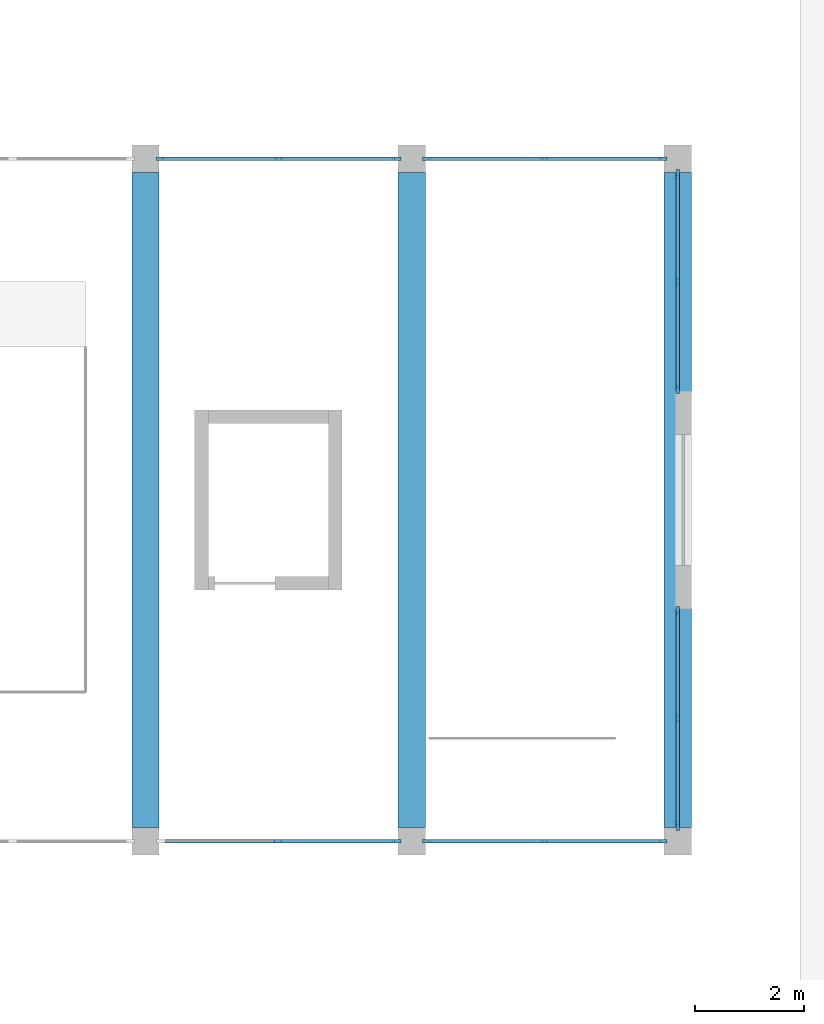
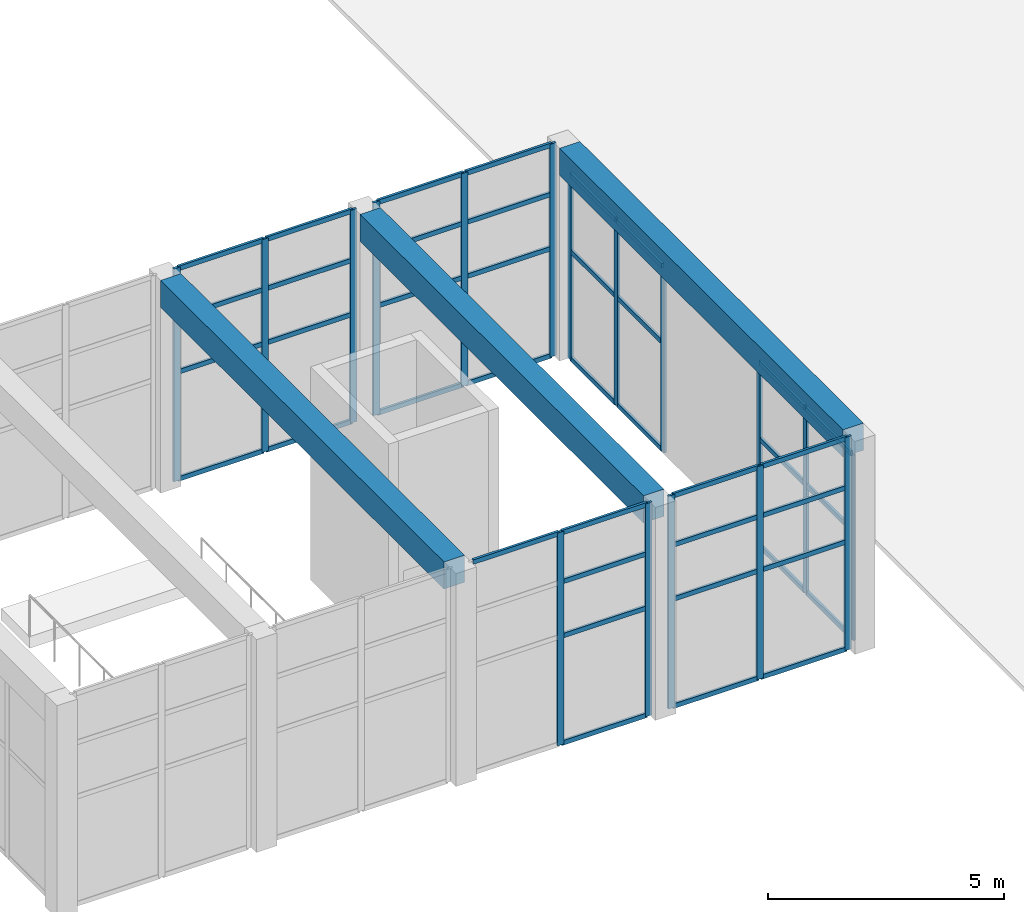
# One storey, part 12 of 175: 58 members, 3 beams, 6 elements without a shape of their own.
"""IFC4 building model written with IfcOpenShell, lengths in metres."""

from ifc_helpers import new_model, si_unit, direction, frame, origin, origin_2d, place, context, subcontext, project, spatial, rectangle, extrude, material, material_profile, profile_set, type_object, element, aggregate, save


model = new_model("IFC4")

# Units and contexts
model_context = context("Model", 3, precision=1e-05, world=origin(), true_north=direction((0.0, 1.0)))
body_context = subcontext(model_context, "Body", "Model", "MODEL_VIEW")
ifc_project = project(units=[si_unit("LENGTHUNIT", "METRE"), si_unit("AREAUNIT", "SQUARE_METRE"), si_unit("VOLUMEUNIT", "CUBIC_METRE"), si_unit("PLANEANGLEUNIT", "RADIAN"), si_unit("MASSUNIT", "GRAM", prefix="KILO")], contexts=[model_context])

# Site, building, storey
site_placement = place(None, origin())
site = spatial("IfcSite", under=ifc_project, at=site_placement, CompositionType="ELEMENT")
building_placement = place(site_placement, origin())
building = spatial("IfcBuilding", under=site, at=building_placement, Name="Ogive Plaza Stadium", CompositionType="ELEMENT")
storey_placement = place(building_placement, origin())
storey = spatial("IfcBuildingStorey", under=building, at=storey_placement, Name="L00", CompositionType="ELEMENT", Elevation=0.0)

# Curtain wall, members
ifc_material_1 = material(Name="Aluminium and laminated glass", Category="aluminium")
curtain_wall_type = type_object("IfcCurtainWallType", Name="Headhouse curtain wall", PredefinedType="NOTDEFINED", material=ifc_material_1)
curtain_wall_1_placement = place(storey_placement, origin())
curtain_wall_1 = element("IfcCurtainWall", 1, at=curtain_wall_1_placement, inside=storey, type_object=curtain_wall_type, Name="Headhouse 2 curtain wall", PredefinedType="NOTDEFINED")
ifc_material_2 = material(Name="Bronze-anodised aluminium", Category="aluminium")
ifc_material_profile_1 = material_profile(ifc_material_2, rectangle(XDim=0.06005859375, YDim=0.159912109375, at=origin_2d()), Name="Headhouse mullion 60x160")
ifc_profile_set_1 = profile_set([ifc_material_profile_1], Name="Bronze-anodised aluminium")
member_type_1 = type_object("IfcMemberType", Name="Headhouse mullion 60x160", PredefinedType="MULLION", material=ifc_profile_set_1)
member_1_placement = place(storey_placement, frame((110.4375, 6.75, 0.0), z_axis=(0.0, 0.0, 1.0), x_axis=(0.0, 1.0, 0.0)))
member_1 = element("IfcMember", 2, at=member_1_placement, type_object=member_type_1, Name="HCW2A mullion 2", PredefinedType="MULLION", context=body_context, shape_type="SweptSolid", body=[
    extrude(rectangle(XDim=0.06005859375, YDim=0.159912109375, at=origin_2d()), origin(), (0.0, 0.0, 1.0), 5.5),
])
member_2_placement = place(storey_placement, frame((112.594970703125, 6.75, 0.0), z_axis=(0.0, 0.0, 1.0), x_axis=(0.0, 1.0, 0.0)))
member_2 = element("IfcMember", 3, at=member_2_placement, type_object=member_type_1, Name="HCW2A mullion 3", PredefinedType="MULLION", context=body_context, shape_type="SweptSolid", body=[
    extrude(rectangle(XDim=0.06005859375, YDim=0.159912109375, at=origin_2d()), origin(), (0.0, 0.0, 1.0), 5.5),
])

curtain_wall_2_placement = place(storey_placement, origin())
curtain_wall_2 = element("IfcCurtainWall", 4, at=curtain_wall_2_placement, inside=storey, type_object=curtain_wall_type, Name="Headhouse 2 curtain wall", PredefinedType="NOTDEFINED")
member_3_placement = place(storey_placement, frame((113.155029296875, 6.75, 0.0), z_axis=(0.0, 0.0, 1.0), x_axis=(0.0, 1.0, 0.0)))
member_3 = element("IfcMember", 5, at=member_3_placement, type_object=member_type_1, Name="HCW2A mullion 1", PredefinedType="MULLION", context=body_context, shape_type="SweptSolid", body=[
    extrude(rectangle(XDim=0.06005859375, YDim=0.159912109375, at=origin_2d()), origin(), (0.0, 0.0, 1.0), 5.5),
])
member_4_placement = place(storey_placement, frame((115.3125, 6.75, 0.0), z_axis=(0.0, 0.0, 1.0), x_axis=(0.0, 1.0, 0.0)))
member_4 = element("IfcMember", 6, at=member_4_placement, type_object=member_type_1, Name="HCW2A mullion 2", PredefinedType="MULLION", context=body_context, shape_type="SweptSolid", body=[
    extrude(rectangle(XDim=0.06005859375, YDim=0.159912109375, at=origin_2d()), origin(), (0.0, 0.0, 1.0), 5.5),
])
member_5_placement = place(storey_placement, frame((117.469970703125, 6.75, 0.0), z_axis=(0.0, 0.0, 1.0), x_axis=(0.0, 1.0, 0.0)))
member_5 = element("IfcMember", 7, at=member_5_placement, type_object=member_type_1, Name="HCW2A mullion 3", PredefinedType="MULLION", context=body_context, shape_type="SweptSolid", body=[
    extrude(rectangle(XDim=0.06005859375, YDim=0.159912109375, at=origin_2d()), origin(), (0.0, 0.0, 1.0), 5.5),
])

curtain_wall_3_placement = place(storey_placement, origin())
curtain_wall_3 = element("IfcCurtainWall", 8, at=curtain_wall_3_placement, inside=storey, type_object=curtain_wall_type, Name="Headhouse 2 curtain wall", PredefinedType="NOTDEFINED")
member_6_placement = place(storey_placement, frame((108.280029296875, 19.25, 0.0), z_axis=(0.0, 0.0, 1.0), x_axis=(0.0, 1.0, 0.0)))
member_6 = element("IfcMember", 9, at=member_6_placement, type_object=member_type_1, Name="HCW2A mullion 1", PredefinedType="MULLION", context=body_context, shape_type="SweptSolid", body=[
    extrude(rectangle(XDim=0.06005859375, YDim=0.159912109375, at=origin_2d()), origin(), (0.0, 0.0, 1.0), 5.5),
])
member_7_placement = place(storey_placement, frame((110.4375, 19.25, 0.0), z_axis=(0.0, 0.0, 1.0), x_axis=(0.0, 1.0, 0.0)))
member_7 = element("IfcMember", 10, at=member_7_placement, type_object=member_type_1, Name="HCW2A mullion 2", PredefinedType="MULLION", context=body_context, shape_type="SweptSolid", body=[
    extrude(rectangle(XDim=0.06005859375, YDim=0.159912109375, at=origin_2d()), origin(), (0.0, 0.0, 1.0), 5.5),
])
member_8_placement = place(storey_placement, frame((112.594970703125, 19.25, 0.0), z_axis=(0.0, 0.0, 1.0), x_axis=(0.0, 1.0, 0.0)))
member_8 = element("IfcMember", 11, at=member_8_placement, type_object=member_type_1, Name="HCW2A mullion 3", PredefinedType="MULLION", context=body_context, shape_type="SweptSolid", body=[
    extrude(rectangle(XDim=0.06005859375, YDim=0.159912109375, at=origin_2d()), origin(), (0.0, 0.0, 1.0), 5.5),
])

curtain_wall_4_placement = place(storey_placement, origin())
curtain_wall_4 = element("IfcCurtainWall", 12, at=curtain_wall_4_placement, inside=storey, type_object=curtain_wall_type, Name="Headhouse 2 curtain wall", PredefinedType="NOTDEFINED")
member_9_placement = place(storey_placement, frame((113.155029296875, 19.25, 0.0), z_axis=(0.0, 0.0, 1.0), x_axis=(0.0, 1.0, 0.0)))
member_9 = element("IfcMember", 13, at=member_9_placement, type_object=member_type_1, Name="HCW2A mullion 1", PredefinedType="MULLION", context=body_context, shape_type="SweptSolid", body=[
    extrude(rectangle(XDim=0.06005859375, YDim=0.159912109375, at=origin_2d()), origin(), (0.0, 0.0, 1.0), 5.5),
])
member_10_placement = place(storey_placement, frame((115.3125, 19.25, 0.0), z_axis=(0.0, 0.0, 1.0), x_axis=(0.0, 1.0, 0.0)))
member_10 = element("IfcMember", 14, at=member_10_placement, type_object=member_type_1, Name="HCW2A mullion 2", PredefinedType="MULLION", context=body_context, shape_type="SweptSolid", body=[
    extrude(rectangle(XDim=0.06005859375, YDim=0.159912109375, at=origin_2d()), origin(), (0.0, 0.0, 1.0), 5.5),
])
member_11_placement = place(storey_placement, frame((117.469970703125, 19.25, 0.0), z_axis=(0.0, 0.0, 1.0), x_axis=(0.0, 1.0, 0.0)))
member_11 = element("IfcMember", 15, at=member_11_placement, type_object=member_type_1, Name="HCW2A mullion 3", PredefinedType="MULLION", context=body_context, shape_type="SweptSolid", body=[
    extrude(rectangle(XDim=0.06005859375, YDim=0.159912109375, at=origin_2d()), origin(), (0.0, 0.0, 1.0), 5.5),
])

curtain_wall_5_placement = place(storey_placement, origin())
curtain_wall_5 = element("IfcCurtainWall", 16, at=curtain_wall_5_placement, inside=storey, type_object=curtain_wall_type, Name="Headhouse 2 curtain wall", PredefinedType="NOTDEFINED")
member_12_placement = place(storey_placement, frame((117.75, 7.030029296875, 0.0), z_axis=(0.0, 0.0, 1.0), x_axis=(-1.0, 0.0, 0.0)))
member_12 = element("IfcMember", 17, at=member_12_placement, type_object=member_type_1, Name="HCW2B mullion 1", PredefinedType="MULLION", context=body_context, shape_type="SweptSolid", body=[
    extrude(rectangle(XDim=0.06005859375, YDim=0.159912109375, at=origin_2d()), origin(), (0.0, 0.0, 1.0), 4.800048828125),
])
member_13_placement = place(storey_placement, frame((117.75, 9.0, 0.0), z_axis=(0.0, 0.0, 1.0), x_axis=(-1.0, 0.0, 0.0)))
member_13 = element("IfcMember", 18, at=member_13_placement, type_object=member_type_1, Name="HCW2B mullion 2", PredefinedType="MULLION", context=body_context, shape_type="SweptSolid", body=[
    extrude(rectangle(XDim=0.06005859375, YDim=0.159912109375, at=origin_2d()), origin(), (0.0, 0.0, 1.0), 4.800048828125),
])
member_14_placement = place(storey_placement, frame((117.75, 10.969970703125, 0.0), z_axis=(0.0, 0.0, 1.0), x_axis=(-1.0, 0.0, 0.0)))
member_14 = element("IfcMember", 19, at=member_14_placement, type_object=member_type_1, Name="HCW2B mullion 3", PredefinedType="MULLION", context=body_context, shape_type="SweptSolid", body=[
    extrude(rectangle(XDim=0.06005859375, YDim=0.159912109375, at=origin_2d()), origin(), (0.0, 0.0, 1.0), 4.800048828125),
])

curtain_wall_6_placement = place(storey_placement, origin())
curtain_wall_6 = element("IfcCurtainWall", 20, at=curtain_wall_6_placement, inside=storey, type_object=curtain_wall_type, Name="Headhouse 2 curtain wall", PredefinedType="NOTDEFINED")
member_15_placement = place(storey_placement, frame((117.75, 15.030029296875, 0.0), z_axis=(0.0, 0.0, 1.0), x_axis=(-1.0, 0.0, 0.0)))
member_15 = element("IfcMember", 21, at=member_15_placement, type_object=member_type_1, Name="HCW2B mullion 1", PredefinedType="MULLION", context=body_context, shape_type="SweptSolid", body=[
    extrude(rectangle(XDim=0.06005859375, YDim=0.159912109375, at=origin_2d()), origin(), (0.0, 0.0, 1.0), 4.800048828125),
])
member_16_placement = place(storey_placement, frame((117.75, 17.0, 0.0), z_axis=(0.0, 0.0, 1.0), x_axis=(-1.0, 0.0, 0.0)))
member_16 = element("IfcMember", 22, at=member_16_placement, type_object=member_type_1, Name="HCW2B mullion 2", PredefinedType="MULLION", context=body_context, shape_type="SweptSolid", body=[
    extrude(rectangle(XDim=0.06005859375, YDim=0.159912109375, at=origin_2d()), origin(), (0.0, 0.0, 1.0), 4.800048828125),
])
member_17_placement = place(storey_placement, frame((117.75, 18.969970703125, 0.0), z_axis=(0.0, 0.0, 1.0), x_axis=(-1.0, 0.0, 0.0)))
member_17 = element("IfcMember", 23, at=member_17_placement, type_object=member_type_1, Name="HCW2B mullion 3", PredefinedType="MULLION", context=body_context, shape_type="SweptSolid", body=[
    extrude(rectangle(XDim=0.06005859375, YDim=0.159912109375, at=origin_2d()), origin(), (0.0, 0.0, 1.0), 4.800048828125),
])

# Beams
ifc_material_3 = material(Name="Concrete C40/50", Category="concrete")
ifc_material_profile_2 = material_profile(ifc_material_3, rectangle(XDim=0.5, YDim=0.699951171875, at=origin_2d()), Name="Headhouse roof beam RC 500x700")
ifc_profile_set_2 = profile_set([ifc_material_profile_2], Name="Concrete C40/50")
beam_type = type_object("IfcBeamType", Name="Headhouse roof beam RC 500x700", PredefinedType="BEAM", material=ifc_profile_set_2)
for number, where, z_axis, x_axis, name in (
    (24, (108.0, 7.0, 5.14990234375), (0.0, 1.0, 0.0), (-1.0, 0.0, 0.0), "Headhouse 2 roof beam 3"),
    (25, (112.875, 7.0, 5.14990234375), (0.0, 1.0, 0.0), (-1.0, 0.0, 0.0), "Headhouse 2 roof beam 4"),
    (26, (117.75, 7.0, 5.14990234375), (0.0, 1.0, 0.0), (-1.0, 0.0, 0.0), "Headhouse 2 roof beam 5"),
):
    element("IfcBeam", number, at=place(storey_placement, frame(where, z_axis=z_axis, x_axis=x_axis)), inside=storey, type_object=beam_type, Name=name, PredefinedType="BEAM", context=body_context, shape_type="SweptSolid", body=[
        extrude(rectangle(XDim=0.5, YDim=0.699951171875, at=origin_2d()), origin(), (0.0, 0.0, 1.0), 12.0),
    ])

# Member
ifc_material_4 = material(Name="Bronze-anodised aluminium", Category="aluminium")
ifc_material_profile_3 = material_profile(ifc_material_4, rectangle(XDim=0.06005859375, YDim=0.1201171875, at=origin_2d()), Name="Headhouse transom 60x120")
ifc_profile_set_3 = profile_set([ifc_material_profile_3], Name="Bronze-anodised aluminium")
member_type_2 = type_object("IfcMemberType", Name="Headhouse transom 60x120", PredefinedType="USERDEFINED", material=ifc_profile_set_3)
member_18_placement = place(storey_placement, frame((108.31005859375, 6.75, 5.469970703125), z_axis=(1.0, 0.0, 0.0), x_axis=(0.0, 1.0, 0.0)))
member_18 = element("IfcMember", 27, at=member_18_placement, type_object=member_type_2, Name="HCW2A transom 1.4", ObjectType="TRANSOM", PredefinedType="USERDEFINED", context=body_context, shape_type="SweptSolid", body=[
    extrude(rectangle(XDim=0.06005859375, YDim=0.1201171875, at=origin_2d()), origin(), (0.0, 0.0, 1.0), 2.097412109375),
])

member_19_placement = place(storey_placement, frame((110.467529296875, 6.75, 0.030029296875), z_axis=(1.0, 0.0, 0.0), x_axis=(0.0, 1.0, 0.0)))
member_19 = element("IfcMember", 28, at=member_19_placement, type_object=member_type_2, Name="HCW2A transom 2.1", ObjectType="TRANSOM", PredefinedType="USERDEFINED", context=body_context, shape_type="SweptSolid", body=[
    extrude(rectangle(XDim=0.06005859375, YDim=0.1201171875, at=origin_2d()), origin(), (0.0, 0.0, 1.0), 2.097412109375),
])

member_20_placement = place(storey_placement, frame((110.467529296875, 6.75, 2.800048828125), z_axis=(1.0, 0.0, 0.0), x_axis=(0.0, 1.0, 0.0)))
member_20 = element("IfcMember", 29, at=member_20_placement, type_object=member_type_2, Name="HCW2A transom 2.2", ObjectType="TRANSOM", PredefinedType="USERDEFINED", context=body_context, shape_type="SweptSolid", body=[
    extrude(rectangle(XDim=0.06005859375, YDim=0.1201171875, at=origin_2d()), origin(), (0.0, 0.0, 1.0), 2.097412109375),
])

member_21_placement = place(storey_placement, frame((110.467529296875, 6.75, 4.199951171875), z_axis=(1.0, 0.0, 0.0), x_axis=(0.0, 1.0, 0.0)))
member_21 = element("IfcMember", 30, at=member_21_placement, type_object=member_type_2, Name="HCW2A transom 2.3", ObjectType="TRANSOM", PredefinedType="USERDEFINED", context=body_context, shape_type="SweptSolid", body=[
    extrude(rectangle(XDim=0.06005859375, YDim=0.1201171875, at=origin_2d()), origin(), (0.0, 0.0, 1.0), 2.097412109375),
])

member_22_placement = place(storey_placement, frame((110.467529296875, 6.75, 5.469970703125), z_axis=(1.0, 0.0, 0.0), x_axis=(0.0, 1.0, 0.0)))
member_22 = element("IfcMember", 31, at=member_22_placement, type_object=member_type_2, Name="HCW2A transom 2.4", ObjectType="TRANSOM", PredefinedType="USERDEFINED", context=body_context, shape_type="SweptSolid", body=[
    extrude(rectangle(XDim=0.06005859375, YDim=0.1201171875, at=origin_2d()), origin(), (0.0, 0.0, 1.0), 2.097412109375),
])

aggregate(curtain_wall_1, [member_1, member_2, member_18, member_19, member_20, member_21, member_22])

member_23_placement = place(storey_placement, frame((113.18505859375, 6.75, 0.030029296875), z_axis=(1.0, 0.0, 0.0), x_axis=(0.0, 1.0, 0.0)))
member_23 = element("IfcMember", 32, at=member_23_placement, type_object=member_type_2, Name="HCW2A transom 1.1", ObjectType="TRANSOM", PredefinedType="USERDEFINED", context=body_context, shape_type="SweptSolid", body=[
    extrude(rectangle(XDim=0.06005859375, YDim=0.1201171875, at=origin_2d()), origin(), (0.0, 0.0, 1.0), 2.097412109375),
])

member_24_placement = place(storey_placement, frame((113.18505859375, 6.75, 2.800048828125), z_axis=(1.0, 0.0, 0.0), x_axis=(0.0, 1.0, 0.0)))
member_24 = element("IfcMember", 33, at=member_24_placement, type_object=member_type_2, Name="HCW2A transom 1.2", ObjectType="TRANSOM", PredefinedType="USERDEFINED", context=body_context, shape_type="SweptSolid", body=[
    extrude(rectangle(XDim=0.06005859375, YDim=0.1201171875, at=origin_2d()), origin(), (0.0, 0.0, 1.0), 2.097412109375),
])

member_25_placement = place(storey_placement, frame((113.18505859375, 6.75, 4.199951171875), z_axis=(1.0, 0.0, 0.0), x_axis=(0.0, 1.0, 0.0)))
member_25 = element("IfcMember", 34, at=member_25_placement, type_object=member_type_2, Name="HCW2A transom 1.3", ObjectType="TRANSOM", PredefinedType="USERDEFINED", context=body_context, shape_type="SweptSolid", body=[
    extrude(rectangle(XDim=0.06005859375, YDim=0.1201171875, at=origin_2d()), origin(), (0.0, 0.0, 1.0), 2.097412109375),
])

member_26_placement = place(storey_placement, frame((113.18505859375, 6.75, 5.469970703125), z_axis=(1.0, 0.0, 0.0), x_axis=(0.0, 1.0, 0.0)))
member_26 = element("IfcMember", 35, at=member_26_placement, type_object=member_type_2, Name="HCW2A transom 1.4", ObjectType="TRANSOM", PredefinedType="USERDEFINED", context=body_context, shape_type="SweptSolid", body=[
    extrude(rectangle(XDim=0.06005859375, YDim=0.1201171875, at=origin_2d()), origin(), (0.0, 0.0, 1.0), 2.097412109375),
])

member_27_placement = place(storey_placement, frame((115.342529296875, 6.75, 0.030029296875), z_axis=(1.0, 0.0, 0.0), x_axis=(0.0, 1.0, 0.0)))
member_27 = element("IfcMember", 36, at=member_27_placement, type_object=member_type_2, Name="HCW2A transom 2.1", ObjectType="TRANSOM", PredefinedType="USERDEFINED", context=body_context, shape_type="SweptSolid", body=[
    extrude(rectangle(XDim=0.06005859375, YDim=0.1201171875, at=origin_2d()), origin(), (0.0, 0.0, 1.0), 2.097412109375),
])

member_28_placement = place(storey_placement, frame((115.342529296875, 6.75, 2.800048828125), z_axis=(1.0, 0.0, 0.0), x_axis=(0.0, 1.0, 0.0)))
member_28 = element("IfcMember", 37, at=member_28_placement, type_object=member_type_2, Name="HCW2A transom 2.2", ObjectType="TRANSOM", PredefinedType="USERDEFINED", context=body_context, shape_type="SweptSolid", body=[
    extrude(rectangle(XDim=0.06005859375, YDim=0.1201171875, at=origin_2d()), origin(), (0.0, 0.0, 1.0), 2.097412109375),
])

member_29_placement = place(storey_placement, frame((115.342529296875, 6.75, 4.199951171875), z_axis=(1.0, 0.0, 0.0), x_axis=(0.0, 1.0, 0.0)))
member_29 = element("IfcMember", 38, at=member_29_placement, type_object=member_type_2, Name="HCW2A transom 2.3", ObjectType="TRANSOM", PredefinedType="USERDEFINED", context=body_context, shape_type="SweptSolid", body=[
    extrude(rectangle(XDim=0.06005859375, YDim=0.1201171875, at=origin_2d()), origin(), (0.0, 0.0, 1.0), 2.097412109375),
])

member_30_placement = place(storey_placement, frame((115.342529296875, 6.75, 5.469970703125), z_axis=(1.0, 0.0, 0.0), x_axis=(0.0, 1.0, 0.0)))
member_30 = element("IfcMember", 39, at=member_30_placement, type_object=member_type_2, Name="HCW2A transom 2.4", ObjectType="TRANSOM", PredefinedType="USERDEFINED", context=body_context, shape_type="SweptSolid", body=[
    extrude(rectangle(XDim=0.06005859375, YDim=0.1201171875, at=origin_2d()), origin(), (0.0, 0.0, 1.0), 2.097412109375),
])

aggregate(curtain_wall_2, [member_3, member_4, member_5, member_23, member_24, member_25, member_26, member_27, member_28, member_29, member_30])

member_31_placement = place(storey_placement, frame((108.31005859375, 19.25, 0.030029296875), z_axis=(1.0, 0.0, 0.0), x_axis=(0.0, 1.0, 0.0)))
member_31 = element("IfcMember", 40, at=member_31_placement, type_object=member_type_2, Name="HCW2A transom 1.1", ObjectType="TRANSOM", PredefinedType="USERDEFINED", context=body_context, shape_type="SweptSolid", body=[
    extrude(rectangle(XDim=0.06005859375, YDim=0.1201171875, at=origin_2d()), origin(), (0.0, 0.0, 1.0), 2.097412109375),
])

member_32_placement = place(storey_placement, frame((108.31005859375, 19.25, 2.800048828125), z_axis=(1.0, 0.0, 0.0), x_axis=(0.0, 1.0, 0.0)))
member_32 = element("IfcMember", 41, at=member_32_placement, type_object=member_type_2, Name="HCW2A transom 1.2", ObjectType="TRANSOM", PredefinedType="USERDEFINED", context=body_context, shape_type="SweptSolid", body=[
    extrude(rectangle(XDim=0.06005859375, YDim=0.1201171875, at=origin_2d()), origin(), (0.0, 0.0, 1.0), 2.097412109375),
])

member_33_placement = place(storey_placement, frame((108.31005859375, 19.25, 4.199951171875), z_axis=(1.0, 0.0, 0.0), x_axis=(0.0, 1.0, 0.0)))
member_33 = element("IfcMember", 42, at=member_33_placement, type_object=member_type_2, Name="HCW2A transom 1.3", ObjectType="TRANSOM", PredefinedType="USERDEFINED", context=body_context, shape_type="SweptSolid", body=[
    extrude(rectangle(XDim=0.06005859375, YDim=0.1201171875, at=origin_2d()), origin(), (0.0, 0.0, 1.0), 2.097412109375),
])

member_34_placement = place(storey_placement, frame((108.31005859375, 19.25, 5.469970703125), z_axis=(1.0, 0.0, 0.0), x_axis=(0.0, 1.0, 0.0)))
member_34 = element("IfcMember", 43, at=member_34_placement, type_object=member_type_2, Name="HCW2A transom 1.4", ObjectType="TRANSOM", PredefinedType="USERDEFINED", context=body_context, shape_type="SweptSolid", body=[
    extrude(rectangle(XDim=0.06005859375, YDim=0.1201171875, at=origin_2d()), origin(), (0.0, 0.0, 1.0), 2.097412109375),
])

member_35_placement = place(storey_placement, frame((110.467529296875, 19.25, 0.030029296875), z_axis=(1.0, 0.0, 0.0), x_axis=(0.0, 1.0, 0.0)))
member_35 = element("IfcMember", 44, at=member_35_placement, type_object=member_type_2, Name="HCW2A transom 2.1", ObjectType="TRANSOM", PredefinedType="USERDEFINED", context=body_context, shape_type="SweptSolid", body=[
    extrude(rectangle(XDim=0.06005859375, YDim=0.1201171875, at=origin_2d()), origin(), (0.0, 0.0, 1.0), 2.097412109375),
])

member_36_placement = place(storey_placement, frame((110.467529296875, 19.25, 2.800048828125), z_axis=(1.0, 0.0, 0.0), x_axis=(0.0, 1.0, 0.0)))
member_36 = element("IfcMember", 45, at=member_36_placement, type_object=member_type_2, Name="HCW2A transom 2.2", ObjectType="TRANSOM", PredefinedType="USERDEFINED", context=body_context, shape_type="SweptSolid", body=[
    extrude(rectangle(XDim=0.06005859375, YDim=0.1201171875, at=origin_2d()), origin(), (0.0, 0.0, 1.0), 2.097412109375),
])

member_37_placement = place(storey_placement, frame((110.467529296875, 19.25, 4.199951171875), z_axis=(1.0, 0.0, 0.0), x_axis=(0.0, 1.0, 0.0)))
member_37 = element("IfcMember", 46, at=member_37_placement, type_object=member_type_2, Name="HCW2A transom 2.3", ObjectType="TRANSOM", PredefinedType="USERDEFINED", context=body_context, shape_type="SweptSolid", body=[
    extrude(rectangle(XDim=0.06005859375, YDim=0.1201171875, at=origin_2d()), origin(), (0.0, 0.0, 1.0), 2.097412109375),
])

member_38_placement = place(storey_placement, frame((110.467529296875, 19.25, 5.469970703125), z_axis=(1.0, 0.0, 0.0), x_axis=(0.0, 1.0, 0.0)))
member_38 = element("IfcMember", 47, at=member_38_placement, type_object=member_type_2, Name="HCW2A transom 2.4", ObjectType="TRANSOM", PredefinedType="USERDEFINED", context=body_context, shape_type="SweptSolid", body=[
    extrude(rectangle(XDim=0.06005859375, YDim=0.1201171875, at=origin_2d()), origin(), (0.0, 0.0, 1.0), 2.097412109375),
])

aggregate(curtain_wall_3, [member_6, member_7, member_8, member_31, member_32, member_33, member_34, member_35, member_36, member_37, member_38])

member_39_placement = place(storey_placement, frame((113.18505859375, 19.25, 0.030029296875), z_axis=(1.0, 0.0, 0.0), x_axis=(0.0, 1.0, 0.0)))
member_39 = element("IfcMember", 48, at=member_39_placement, type_object=member_type_2, Name="HCW2A transom 1.1", ObjectType="TRANSOM", PredefinedType="USERDEFINED", context=body_context, shape_type="SweptSolid", body=[
    extrude(rectangle(XDim=0.06005859375, YDim=0.1201171875, at=origin_2d()), origin(), (0.0, 0.0, 1.0), 2.097412109375),
])

member_40_placement = place(storey_placement, frame((113.18505859375, 19.25, 2.800048828125), z_axis=(1.0, 0.0, 0.0), x_axis=(0.0, 1.0, 0.0)))
member_40 = element("IfcMember", 49, at=member_40_placement, type_object=member_type_2, Name="HCW2A transom 1.2", ObjectType="TRANSOM", PredefinedType="USERDEFINED", context=body_context, shape_type="SweptSolid", body=[
    extrude(rectangle(XDim=0.06005859375, YDim=0.1201171875, at=origin_2d()), origin(), (0.0, 0.0, 1.0), 2.097412109375),
])

member_41_placement = place(storey_placement, frame((113.18505859375, 19.25, 4.199951171875), z_axis=(1.0, 0.0, 0.0), x_axis=(0.0, 1.0, 0.0)))
member_41 = element("IfcMember", 50, at=member_41_placement, type_object=member_type_2, Name="HCW2A transom 1.3", ObjectType="TRANSOM", PredefinedType="USERDEFINED", context=body_context, shape_type="SweptSolid", body=[
    extrude(rectangle(XDim=0.06005859375, YDim=0.1201171875, at=origin_2d()), origin(), (0.0, 0.0, 1.0), 2.097412109375),
])

member_42_placement = place(storey_placement, frame((113.18505859375, 19.25, 5.469970703125), z_axis=(1.0, 0.0, 0.0), x_axis=(0.0, 1.0, 0.0)))
member_42 = element("IfcMember", 51, at=member_42_placement, type_object=member_type_2, Name="HCW2A transom 1.4", ObjectType="TRANSOM", PredefinedType="USERDEFINED", context=body_context, shape_type="SweptSolid", body=[
    extrude(rectangle(XDim=0.06005859375, YDim=0.1201171875, at=origin_2d()), origin(), (0.0, 0.0, 1.0), 2.097412109375),
])

member_43_placement = place(storey_placement, frame((115.342529296875, 19.25, 0.030029296875), z_axis=(1.0, 0.0, 0.0), x_axis=(0.0, 1.0, 0.0)))
member_43 = element("IfcMember", 52, at=member_43_placement, type_object=member_type_2, Name="HCW2A transom 2.1", ObjectType="TRANSOM", PredefinedType="USERDEFINED", context=body_context, shape_type="SweptSolid", body=[
    extrude(rectangle(XDim=0.06005859375, YDim=0.1201171875, at=origin_2d()), origin(), (0.0, 0.0, 1.0), 2.097412109375),
])

member_44_placement = place(storey_placement, frame((115.342529296875, 19.25, 2.800048828125), z_axis=(1.0, 0.0, 0.0), x_axis=(0.0, 1.0, 0.0)))
member_44 = element("IfcMember", 53, at=member_44_placement, type_object=member_type_2, Name="HCW2A transom 2.2", ObjectType="TRANSOM", PredefinedType="USERDEFINED", context=body_context, shape_type="SweptSolid", body=[
    extrude(rectangle(XDim=0.06005859375, YDim=0.1201171875, at=origin_2d()), origin(), (0.0, 0.0, 1.0), 2.097412109375),
])

member_45_placement = place(storey_placement, frame((115.342529296875, 19.25, 4.199951171875), z_axis=(1.0, 0.0, 0.0), x_axis=(0.0, 1.0, 0.0)))
member_45 = element("IfcMember", 54, at=member_45_placement, type_object=member_type_2, Name="HCW2A transom 2.3", ObjectType="TRANSOM", PredefinedType="USERDEFINED", context=body_context, shape_type="SweptSolid", body=[
    extrude(rectangle(XDim=0.06005859375, YDim=0.1201171875, at=origin_2d()), origin(), (0.0, 0.0, 1.0), 2.097412109375),
])

member_46_placement = place(storey_placement, frame((115.342529296875, 19.25, 5.469970703125), z_axis=(1.0, 0.0, 0.0), x_axis=(0.0, 1.0, 0.0)))
member_46 = element("IfcMember", 55, at=member_46_placement, type_object=member_type_2, Name="HCW2A transom 2.4", ObjectType="TRANSOM", PredefinedType="USERDEFINED", context=body_context, shape_type="SweptSolid", body=[
    extrude(rectangle(XDim=0.06005859375, YDim=0.1201171875, at=origin_2d()), origin(), (0.0, 0.0, 1.0), 2.097412109375),
])

aggregate(curtain_wall_4, [member_9, member_10, member_11, member_39, member_40, member_41, member_42, member_43, member_44, member_45, member_46])

member_47_placement = place(storey_placement, frame((117.75, 7.06005859375, 0.030029296875), z_axis=(0.0, 1.0, 0.0), x_axis=(-1.0, 0.0, 0.0)))
member_47 = element("IfcMember", 56, at=member_47_placement, type_object=member_type_2, Name="HCW2B transom 1.1", ObjectType="TRANSOM", PredefinedType="USERDEFINED", context=body_context, shape_type="SweptSolid", body=[
    extrude(rectangle(XDim=0.06005859375, YDim=0.1201171875, at=origin_2d()), origin(), (0.0, 0.0, 1.0), 1.909912109375),
])

member_48_placement = place(storey_placement, frame((117.75, 7.06005859375, 2.800048828125), z_axis=(0.0, 1.0, 0.0), x_axis=(-1.0, 0.0, 0.0)))
member_48 = element("IfcMember", 57, at=member_48_placement, type_object=member_type_2, Name="HCW2B transom 1.2", ObjectType="TRANSOM", PredefinedType="USERDEFINED", context=body_context, shape_type="SweptSolid", body=[
    extrude(rectangle(XDim=0.06005859375, YDim=0.1201171875, at=origin_2d()), origin(), (0.0, 0.0, 1.0), 1.909912109375),
])

member_49_placement = place(storey_placement, frame((117.75, 7.06005859375, 4.77001953125), z_axis=(0.0, 1.0, 0.0), x_axis=(-1.0, 0.0, 0.0)))
member_49 = element("IfcMember", 58, at=member_49_placement, type_object=member_type_2, Name="HCW2B transom 1.3", ObjectType="TRANSOM", PredefinedType="USERDEFINED", context=body_context, shape_type="SweptSolid", body=[
    extrude(rectangle(XDim=0.06005859375, YDim=0.1201171875, at=origin_2d()), origin(), (0.0, 0.0, 1.0), 1.909912109375),
])

member_50_placement = place(storey_placement, frame((117.75, 9.030029296875, 0.030029296875), z_axis=(0.0, 1.0, 0.0), x_axis=(-1.0, 0.0, 0.0)))
member_50 = element("IfcMember", 59, at=member_50_placement, type_object=member_type_2, Name="HCW2B transom 2.1", ObjectType="TRANSOM", PredefinedType="USERDEFINED", context=body_context, shape_type="SweptSolid", body=[
    extrude(rectangle(XDim=0.06005859375, YDim=0.1201171875, at=origin_2d()), origin(), (0.0, 0.0, 1.0), 1.909912109375),
])

member_51_placement = place(storey_placement, frame((117.75, 9.030029296875, 2.800048828125), z_axis=(0.0, 1.0, 0.0), x_axis=(-1.0, 0.0, 0.0)))
member_51 = element("IfcMember", 60, at=member_51_placement, type_object=member_type_2, Name="HCW2B transom 2.2", ObjectType="TRANSOM", PredefinedType="USERDEFINED", context=body_context, shape_type="SweptSolid", body=[
    extrude(rectangle(XDim=0.06005859375, YDim=0.1201171875, at=origin_2d()), origin(), (0.0, 0.0, 1.0), 1.909912109375),
])

member_52_placement = place(storey_placement, frame((117.75, 9.030029296875, 4.77001953125), z_axis=(0.0, 1.0, 0.0), x_axis=(-1.0, 0.0, 0.0)))
member_52 = element("IfcMember", 61, at=member_52_placement, type_object=member_type_2, Name="HCW2B transom 2.3", ObjectType="TRANSOM", PredefinedType="USERDEFINED", context=body_context, shape_type="SweptSolid", body=[
    extrude(rectangle(XDim=0.06005859375, YDim=0.1201171875, at=origin_2d()), origin(), (0.0, 0.0, 1.0), 1.909912109375),
])

aggregate(curtain_wall_5, [member_12, member_13, member_14, member_47, member_48, member_49, member_50, member_51, member_52])

member_53_placement = place(storey_placement, frame((117.75, 15.06005859375, 0.030029296875), z_axis=(0.0, 1.0, 0.0), x_axis=(-1.0, 0.0, 0.0)))
member_53 = element("IfcMember", 62, at=member_53_placement, type_object=member_type_2, Name="HCW2B transom 1.1", ObjectType="TRANSOM", PredefinedType="USERDEFINED", context=body_context, shape_type="SweptSolid", body=[
    extrude(rectangle(XDim=0.06005859375, YDim=0.1201171875, at=origin_2d()), origin(), (0.0, 0.0, 1.0), 1.909912109375),
])

member_54_placement = place(storey_placement, frame((117.75, 15.06005859375, 2.800048828125), z_axis=(0.0, 1.0, 0.0), x_axis=(-1.0, 0.0, 0.0)))
member_54 = element("IfcMember", 63, at=member_54_placement, type_object=member_type_2, Name="HCW2B transom 1.2", ObjectType="TRANSOM", PredefinedType="USERDEFINED", context=body_context, shape_type="SweptSolid", body=[
    extrude(rectangle(XDim=0.06005859375, YDim=0.1201171875, at=origin_2d()), origin(), (0.0, 0.0, 1.0), 1.909912109375),
])

member_55_placement = place(storey_placement, frame((117.75, 15.06005859375, 4.77001953125), z_axis=(0.0, 1.0, 0.0), x_axis=(-1.0, 0.0, 0.0)))
member_55 = element("IfcMember", 64, at=member_55_placement, type_object=member_type_2, Name="HCW2B transom 1.3", ObjectType="TRANSOM", PredefinedType="USERDEFINED", context=body_context, shape_type="SweptSolid", body=[
    extrude(rectangle(XDim=0.06005859375, YDim=0.1201171875, at=origin_2d()), origin(), (0.0, 0.0, 1.0), 1.909912109375),
])

member_56_placement = place(storey_placement, frame((117.75, 17.030029296875, 0.030029296875), z_axis=(0.0, 1.0, 0.0), x_axis=(-1.0, 0.0, 0.0)))
member_56 = element("IfcMember", 65, at=member_56_placement, type_object=member_type_2, Name="HCW2B transom 2.1", ObjectType="TRANSOM", PredefinedType="USERDEFINED", context=body_context, shape_type="SweptSolid", body=[
    extrude(rectangle(XDim=0.06005859375, YDim=0.1201171875, at=origin_2d()), origin(), (0.0, 0.0, 1.0), 1.909912109375),
])

member_57_placement = place(storey_placement, frame((117.75, 17.030029296875, 2.800048828125), z_axis=(0.0, 1.0, 0.0), x_axis=(-1.0, 0.0, 0.0)))
member_57 = element("IfcMember", 66, at=member_57_placement, type_object=member_type_2, Name="HCW2B transom 2.2", ObjectType="TRANSOM", PredefinedType="USERDEFINED", context=body_context, shape_type="SweptSolid", body=[
    extrude(rectangle(XDim=0.06005859375, YDim=0.1201171875, at=origin_2d()), origin(), (0.0, 0.0, 1.0), 1.909912109375),
])

member_58_placement = place(storey_placement, frame((117.75, 17.030029296875, 4.77001953125), z_axis=(0.0, 1.0, 0.0), x_axis=(-1.0, 0.0, 0.0)))
member_58 = element("IfcMember", 67, at=member_58_placement, type_object=member_type_2, Name="HCW2B transom 2.3", ObjectType="TRANSOM", PredefinedType="USERDEFINED", context=body_context, shape_type="SweptSolid", body=[
    extrude(rectangle(XDim=0.06005859375, YDim=0.1201171875, at=origin_2d()), origin(), (0.0, 0.0, 1.0), 1.909912109375),
])

aggregate(curtain_wall_6, [member_15, member_16, member_17, member_53, member_54, member_55, member_56, member_57, member_58])

save(model, "model.ifc")
